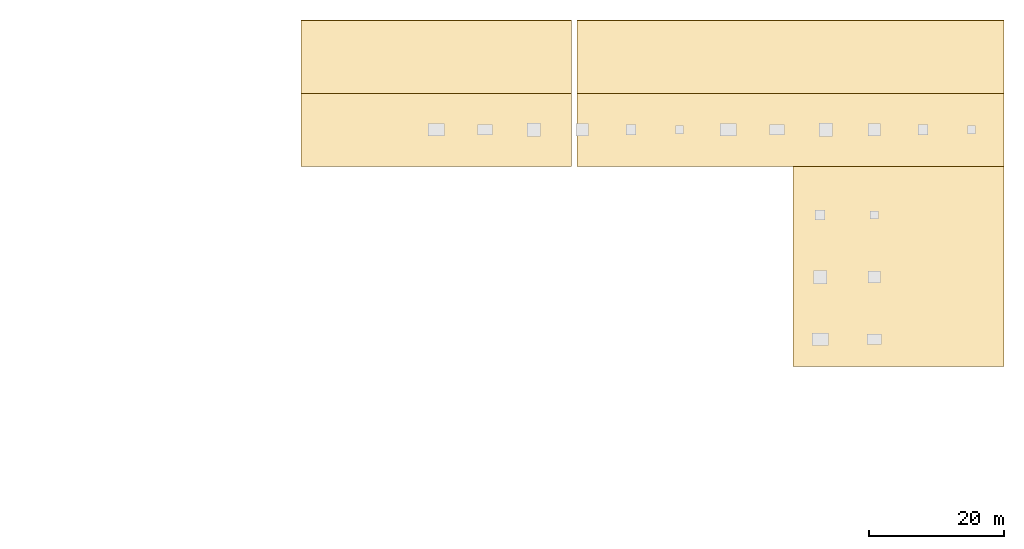
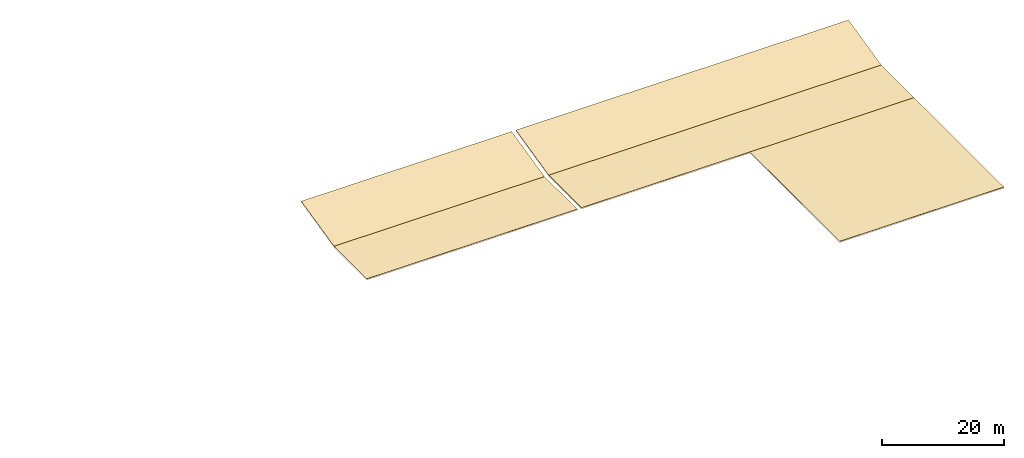
# One storey, part 4 of 4: 5 coverings.
"""IFC4 building model written with IfcOpenShell, lengths in metres."""

from ifc_helpers import new_model, si_unit, direction, frame, origin, place, context, subcontext, project, spatial, polyline, outline, extrude, material, layer, layer_set, type_object, element, save


model = new_model("IFC4")

# Units and contexts
model_context = context("Model", 3, precision=1e-05, world=origin(), true_north=direction((0.0, 1.0)))
body_context = subcontext(model_context, "Body", "Model", "MODEL_VIEW")
ifc_project = project(units=[si_unit("LENGTHUNIT", "METRE"), si_unit("AREAUNIT", "SQUARE_METRE"), si_unit("VOLUMEUNIT", "CUBIC_METRE"), si_unit("PLANEANGLEUNIT", "RADIAN"), si_unit("MASSUNIT", "GRAM", prefix="KILO")], contexts=[model_context])

# Site, building, storey
site_placement = place(None, origin())
site = spatial("IfcSite", under=ifc_project, at=site_placement, CompositionType="ELEMENT")
building_placement = place(site_placement, origin())
building = spatial("IfcBuilding", under=site, at=building_placement, Name="Kharva Crest Polytechnic", CompositionType="ELEMENT")
storey_placement = place(building_placement, frame((0.0, 0.0, 30.0)))
storey = spatial("IfcBuildingStorey", under=building, at=storey_placement, Name="RF", CompositionType="ELEMENT", Elevation=30.0)

# Coverings
ifc_material = material(Name="Anodised aluminium", Category="aluminium")
ifc_layer = layer(ifc_material, 0.044921875, Name="Anodised aluminium")
ifc_layer_set = layer_set([ifc_layer], Name="Anodised aluminium")
covering_type = type_object("IfcCoveringType", Name="COV-ROOF-MEMBRANE", PredefinedType="ROOFING", material=ifc_layer_set)
covering_1_placement = place(storey_placement, origin())
element("IfcCovering", 1, at=covering_1_placement, inside=storey, type_object=covering_type, Name="RF Standing-Seam Roof Covering 24", PredefinedType="ROOFING", context=body_context, shape_type="SweptSolid", body=[
    extrude(outline(polyline([(80.0, 100.39990234375), (120.0, 100.39990234375), (120.0, 111.199951171875), (80.0, 111.199951171875), (80.0, 100.39990234375)])), origin(), (0.0, 0.0, 1.0), 0.044921875),
])
covering_2_placement = place(storey_placement, frame((80.0, 111.199951171875, 0.044921875), z_axis=(0.0, -0.22551730499, 0.974239162193), x_axis=(1.0, 0.0, 0.0)))
element("IfcCovering", 2, at=covering_2_placement, inside=storey, type_object=covering_type, Name="RF Standing-Seam Roof Covering 25", PredefinedType="ROOFING", context=body_context, shape_type="SweptSolid", body=[
    extrude(outline(polyline([(0.0, 0.0), (40.0, 0.0), (40.0, 11.085623784428378), (0.0, 11.085623784428378), (0.0, 0.0)])), origin(), (0.0, 0.0, -1.0), 0.044921875),
])
covering_3_placement = place(storey_placement, origin())
element("IfcCovering", 3, at=covering_3_placement, inside=storey, type_object=covering_type, Name="RF Standing-Seam Roof Covering 26", PredefinedType="ROOFING", context=body_context, shape_type="SweptSolid", body=[
    extrude(outline(polyline([(120.800048828125, 100.39990234375), (184.0, 100.39990234375), (184.0, 111.199951171875), (120.800048828125, 111.199951171875), (120.800048828125, 100.39990234375)])), origin(), (0.0, 0.0, 1.0), 0.044921875),
])
covering_4_placement = place(storey_placement, frame((120.800048828125, 111.199951171875, 0.044921875), z_axis=(0.0, -0.22551730499, 0.974239162193), x_axis=(1.0, 0.0, 0.0)))
element("IfcCovering", 4, at=covering_4_placement, inside=storey, type_object=covering_type, Name="RF Standing-Seam Roof Covering 27", PredefinedType="ROOFING", context=body_context, shape_type="SweptSolid", body=[
    extrude(outline(polyline([(0.0, 0.0), (63.199951171875, 0.0), (63.199951171875, 11.085623784428378), (0.0, 11.085623784428378), (0.0, 0.0)])), origin(), (0.0, 0.0, -1.0), 0.044921875),
])
covering_5_placement = place(storey_placement, origin())
element("IfcCovering", 5, at=covering_5_placement, inside=storey, type_object=covering_type, Name="RF Standing-Seam Roof Covering 28", PredefinedType="ROOFING", context=body_context, shape_type="SweptSolid", body=[
    extrude(outline(polyline([(152.800048828125, 70.800048828125), (184.0, 70.800048828125), (184.0, 100.39990234375), (152.800048828125, 100.39990234375), (152.800048828125, 70.800048828125)])), origin(), (0.0, 0.0, 1.0), 0.044921875),
])

save(model, "model.ifc")
